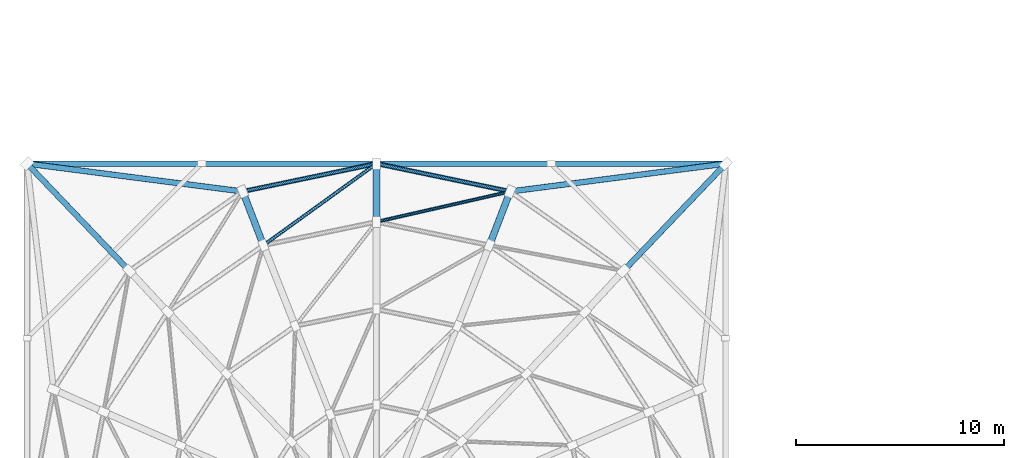
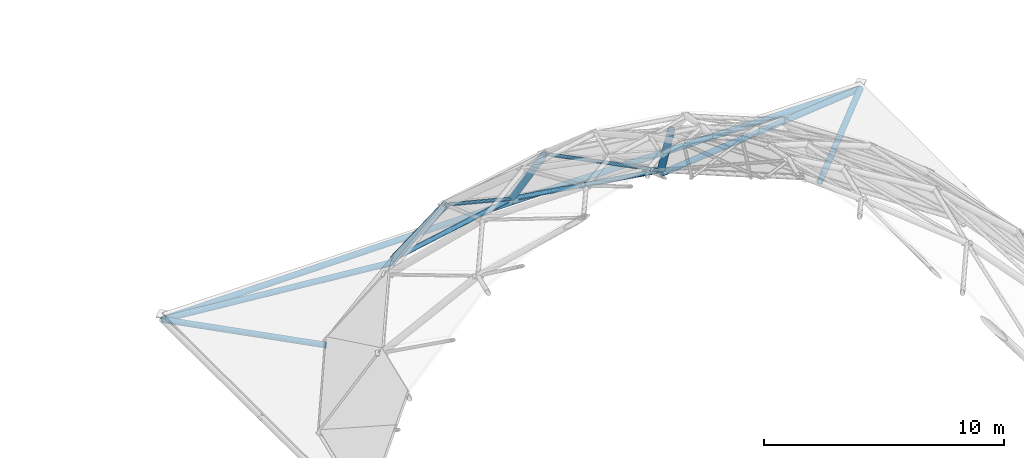
# One storey, part 11 of 49: 10 members, 3 beams.
"""IFC4 building model written with IfcOpenShell, lengths in metres."""

from ifc_helpers import new_model, si_unit, direction, frame, origin, origin_2d, place, context, subcontext, project, spatial, hollow_circle, extrude, material, material_profile, profile_set, type_object, element, save


model = new_model("IFC4")

# Units and contexts
model_context = context("Model", 3, precision=1e-05, world=origin(), true_north=direction((0.0, 1.0)))
body_context = subcontext(model_context, "Body", "Model", "MODEL_VIEW")
ifc_project = project(units=[si_unit("LENGTHUNIT", "METRE"), si_unit("AREAUNIT", "SQUARE_METRE"), si_unit("VOLUMEUNIT", "CUBIC_METRE"), si_unit("PLANEANGLEUNIT", "RADIAN"), si_unit("MASSUNIT", "GRAM", prefix="KILO")], contexts=[model_context])

# Site, building, storey
site_placement = place(None, origin())
site = spatial("IfcSite", under=ifc_project, at=site_placement, CompositionType="ELEMENT")
building_placement = place(site_placement, origin())
building = spatial("IfcBuilding", under=site, at=building_placement, Name="Kemercrest Conservatory and Botanical Centre", CompositionType="ELEMENT")
storey_placement = place(building_placement, frame((0.0, 0.0, 13.199951171875)))
storey = spatial("IfcBuildingStorey", under=building, at=storey_placement, Name="L03", CompositionType="ELEMENT", Elevation=13.199951171875)

# Beams
ifc_material = material(Name="Steel CSA G40.21 350W", Category="steel")
ifc_material_profile_1 = material_profile(ifc_material, hollow_circle(Radius=0.161865234375, WallThickness=0.0126953125, at=origin_2d()), Name="CHS 323.9x12.7")
ifc_profile_set_1 = profile_set([ifc_material_profile_1], Name="Steel CSA G40.21 350W")
beam_type = type_object("IfcBeamType", Name="GR-RIB324", PredefinedType="BEAM", material=ifc_profile_set_1)
beam_1_placement = place(storey_placement, frame((31.22900390625, 50.660400390625, 0.02001953125), z_axis=(-0.205130027413, -0.533388409932, 0.820620786968), x_axis=(0.933356956997, -0.358949565852, 0.0)))
element("IfcBeam", 1, at=beam_1_placement, inside=storey, type_object=beam_type, Name="Conservatory dome arch rib R0-03", PredefinedType="BEAM", context=body_context, shape_type="SweptSolid", body=[
    extrude(hollow_circle(Radius=0.161865234375, WallThickness=0.0126953125, at=origin_2d()), origin(), (0.0, 0.0, 1.0), 4.849853515625),
])
beam_2_placement = place(storey_placement, frame((24.800048828125, 52.0, 0.02001953125), z_axis=(0.0, -0.575400196627, 0.817872003263), x_axis=(1.0, 0.0, 0.0)))
element("IfcBeam", 2, at=beam_2_placement, inside=storey, type_object=beam_type, Name="Conservatory dome arch rib R0-04", PredefinedType="BEAM", context=body_context, shape_type="SweptSolid", body=[
    extrude(hollow_circle(Radius=0.161865234375, WallThickness=0.0126953125, at=origin_2d()), origin(), (0.0, 0.0, 1.0), 4.8662109375),
])
beam_3_placement = place(storey_placement, frame((18.370849609375, 50.660400390625, 0.02001953125), z_axis=(0.205178247157, -0.533382901589, 0.820612312354), x_axis=(0.933327443566, 0.359026298601, 0.0)))
element("IfcBeam", 3, at=beam_3_placement, inside=storey, type_object=beam_type, Name="Conservatory dome arch rib R0-05", PredefinedType="BEAM", context=body_context, shape_type="SweptSolid", body=[
    extrude(hollow_circle(Radius=0.161865234375, WallThickness=0.0126953125, at=origin_2d()), origin(), (0.0, 0.0, 1.0), 4.85009765625),
])

# Members
ifc_material_profile_2 = material_profile(ifc_material, hollow_circle(Radius=0.084228515625, WallThickness=0.009521484375, at=origin_2d()), Name="CHS 168.3x9.5")
ifc_profile_set_2 = profile_set([ifc_material_profile_2], Name="Steel CSA G40.21 350W")
member_type_1 = type_object("IfcMemberType", Name="MB-DIAG168", PredefinedType="BRACE", material=ifc_profile_set_2)
member_1_placement = place(storey_placement, frame((31.22900390625, 50.660400390625, 0.02001953125), z_axis=(-0.834826310685, -0.189645349581, 0.516816865408), x_axis=(0.221523466908, -0.975155040806, 0.0)))
element("IfcMember", 4, at=member_1_placement, inside=storey, type_object=member_type_1, Name="Conservatory dome diagrid brace R0-03", PredefinedType="BRACE", context=body_context, shape_type="SweptSolid", body=[
    extrude(hollow_circle(Radius=0.084228515625, WallThickness=0.009521484375, at=origin_2d()), origin(), (0.0, 0.0, 1.0), 7.700927734375),
])
member_2_placement = place(storey_placement, frame((24.800048828125, 52.0, 0.02001953125), z_axis=(-0.696980823106, -0.503618590081, 0.510476295187), x_axis=(0.58567668046, -0.810544771105, 0.0)))
element("IfcMember", 5, at=member_2_placement, inside=storey, type_object=member_type_1, Name="Conservatory dome diagrid brace R0-04", PredefinedType="BRACE", context=body_context, shape_type="SweptSolid", body=[
    extrude(hollow_circle(Radius=0.084228515625, WallThickness=0.009521484375, at=origin_2d()), origin(), (0.0, 0.0, 1.0), 7.796630859375),
])
ifc_material_profile_3 = material_profile(ifc_material, hollow_circle(Radius=0.136474609375, WallThickness=0.0126953125, at=origin_2d()), Name="CHS 273.1x12.7")
ifc_profile_set_3 = profile_set([ifc_material_profile_3], Name="Steel CSA G40.21 350W")
member_type_2 = type_object("IfcMemberType", Name="MB-PEND273", PredefinedType="BRACE", material=ifc_profile_set_3)
member_3_placement = place(storey_placement, frame((41.60009765625, 52.0, -0.25), z_axis=(-0.69042067868, -0.723271754386, 0.014044776892), x_axis=(0.7233430997, -0.690488783483, 0.0)))
element("IfcMember", 6, at=member_3_placement, inside=storey, type_object=member_type_2, Name="Conservatory pendentive fan brace NE-02", PredefinedType="BRACE", context=body_context, shape_type="SweptSolid", body=[
    extrude(hollow_circle(Radius=0.136474609375, WallThickness=0.0126953125, at=origin_2d()), origin(), (0.0, 0.0, 1.0), 7.126953125),
])
member_4_placement = place(storey_placement, frame((41.60009765625, 52.0, -0.25), z_axis=(-0.991715507702, -0.128096586411, 0.009571642141), x_axis=(0.128102454684, -0.991760939493, 0.0)))
element("IfcMember", 7, at=member_4_placement, inside=storey, type_object=member_type_2, Name="Conservatory pendentive fan brace NE-03", PredefinedType="BRACE", context=body_context, shape_type="SweptSolid", body=[
    extrude(hollow_circle(Radius=0.136474609375, WallThickness=0.0126953125, at=origin_2d()), origin(), (0.0, 0.0, 1.0), 10.457763671875),
])
for number, where, z_axis, x_axis, name in (
    (8, (41.60009765625, 52.0, -0.25), (-0.999982250539, 0.0, 0.005958070753), (0.0, -1.0, 0.0), "Conservatory pendentive fan brace NE-04"),
    (9, (8.0, 52.0, -0.25), (0.999982250539, 0.0, 0.005958070753), (0.0, 1.0, 0.0), "Conservatory pendentive fan brace NW-04"),
):
    element("IfcMember", number, at=place(storey_placement, frame(where, z_axis=z_axis, x_axis=x_axis)), inside=storey, type_object=member_type_2, Name=name, PredefinedType="BRACE", context=body_context, shape_type="SweptSolid", body=[
        extrude(hollow_circle(Radius=0.136474609375, WallThickness=0.0126953125, at=origin_2d()), origin(), (0.0, 0.0, 1.0), 16.80029296875),
    ])
member_5_placement = place(storey_placement, frame((8.0, 52.0, -0.25), z_axis=(0.99171512248, -0.12809955218, 0.00957186375), x_axis=(0.12810542086, 0.991760556357, 0.0)))
element("IfcMember", 10, at=member_5_placement, inside=storey, type_object=member_type_2, Name="Conservatory pendentive fan brace NW-05", PredefinedType="BRACE", context=body_context, shape_type="SweptSolid", body=[
    extrude(hollow_circle(Radius=0.136474609375, WallThickness=0.0126953125, at=origin_2d()), origin(), (0.0, 0.0, 1.0), 10.45751953125),
])
member_6_placement = place(storey_placement, frame((8.0, 52.0, -0.25), z_axis=(0.69042067868, -0.723271754386, 0.014044776892), x_axis=(0.7233430997, 0.690488783483, 0.0)))
element("IfcMember", 11, at=member_6_placement, inside=storey, type_object=member_type_2, Name="Conservatory pendentive fan brace NW-06", PredefinedType="BRACE", context=body_context, shape_type="SweptSolid", body=[
    extrude(hollow_circle(Radius=0.136474609375, WallThickness=0.0126953125, at=origin_2d()), origin(), (0.0, 0.0, 1.0), 7.126953125),
])
ifc_material_profile_4 = material_profile(ifc_material, hollow_circle(Radius=0.109619140625, WallThickness=0.010009765625, at=origin_2d()), Name="CHS 219.1x10.0")
ifc_profile_set_4 = profile_set([ifc_material_profile_4], Name="Steel CSA G40.21 350W")
member_type_3 = type_object("IfcMemberType", Name="MB-RING219", PredefinedType="CHORD", material=ifc_profile_set_4)
member_7_placement = place(storey_placement, frame((31.22900390625, 50.660400390625, 0.02001953125), z_axis=(-0.978973305469, 0.203988399617, 0.0), x_axis=(-0.203988399617, -0.978973305469, 0.0)))
element("IfcMember", 12, at=member_7_placement, inside=storey, type_object=member_type_3, Name="Conservatory dome latitude ring R0-03", PredefinedType="CHORD", context=body_context, shape_type="SweptSolid", body=[
    extrude(hollow_circle(Radius=0.109619140625, WallThickness=0.010009765625, at=origin_2d()), origin(), (0.0, 0.0, 1.0), 6.567138671875),
])
member_8_placement = place(storey_placement, frame((24.800048828125, 52.0, 0.02001953125), z_axis=(-0.978974852353, -0.20398097573, 0.0), x_axis=(0.20398097573, -0.978974852353, 0.0)))
element("IfcMember", 13, at=member_8_placement, inside=storey, type_object=member_type_3, Name="Conservatory dome latitude ring R0-04", PredefinedType="CHORD", context=body_context, shape_type="SweptSolid", body=[
    extrude(hollow_circle(Radius=0.109619140625, WallThickness=0.010009765625, at=origin_2d()), origin(), (0.0, 0.0, 1.0), 6.5673828125),
])

save(model, "model.ifc")
